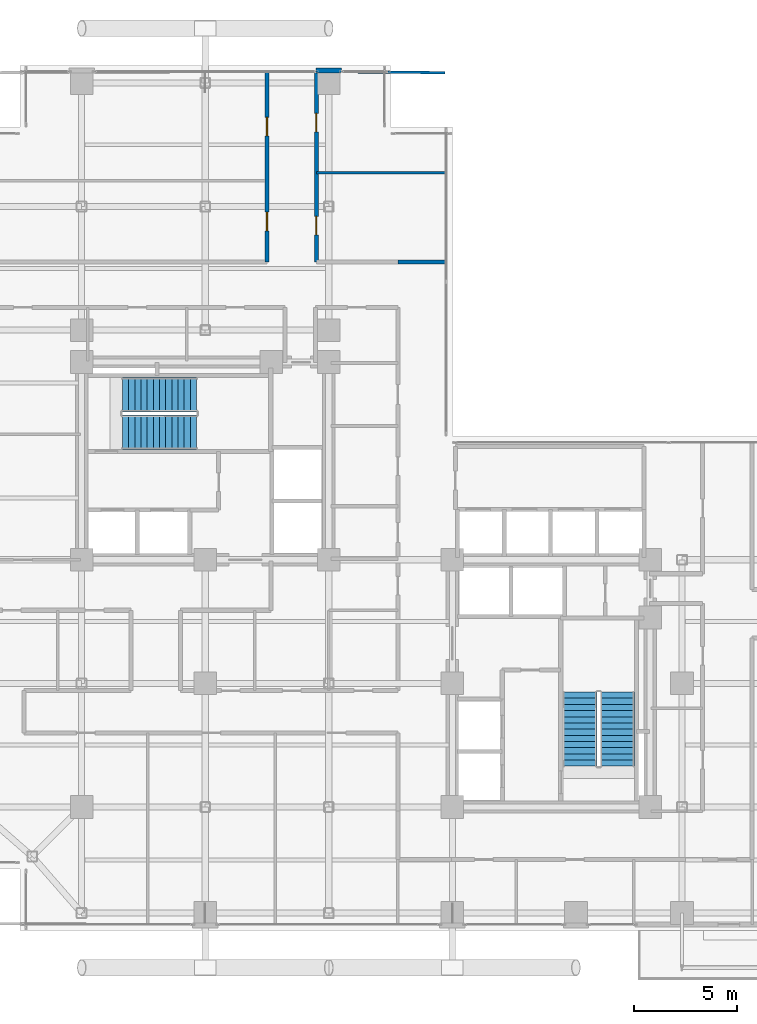
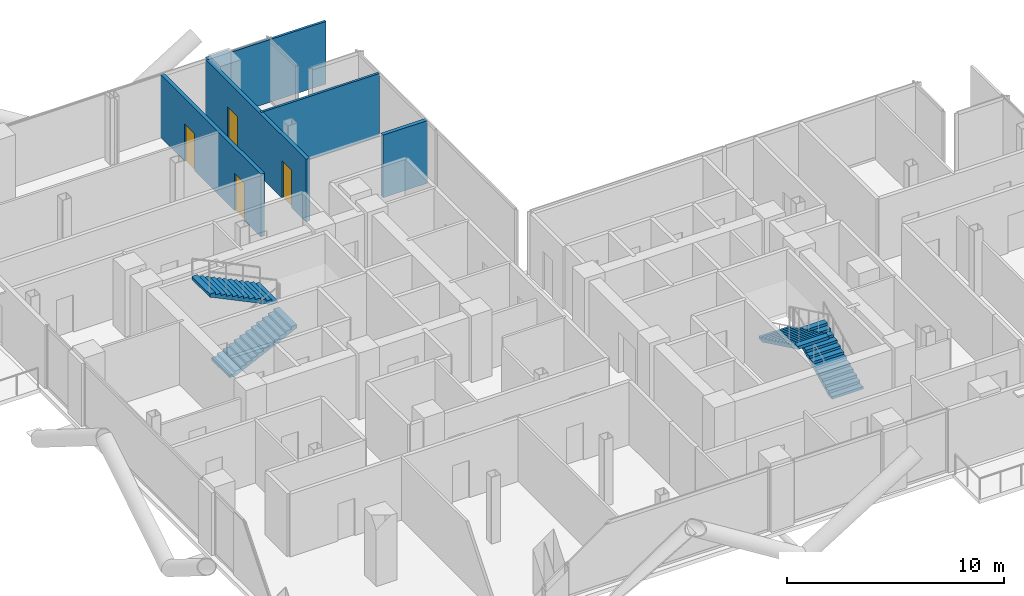
# One storey, part 25 of 28: 6 walls, 4 doors, 4 stair flights, 4 openings, 2 elements without a shape of their own.
"""IFC4 building model written with IfcOpenShell, lengths in metres."""

from ifc_helpers import new_model, si_unit, direction, frame, frame_2d, origin, place, context, subcontext, project, spatial, polyline, rectangle, outline, extrude, material, layer, layer_set, type_object, element, fill, aggregate, save


model = new_model("IFC4")

# Units and contexts
model_context = context("Model", 3, precision=1e-05, world=origin(), true_north=direction((0.0, 1.0)))
body_context = subcontext(model_context, "Body", "Model", "MODEL_VIEW")
ifc_project = project(units=[si_unit("LENGTHUNIT", "METRE"), si_unit("AREAUNIT", "SQUARE_METRE"), si_unit("VOLUMEUNIT", "CUBIC_METRE"), si_unit("PLANEANGLEUNIT", "RADIAN"), si_unit("MASSUNIT", "GRAM", prefix="KILO"), si_unit("THERMODYNAMICTEMPERATUREUNIT", "KELVIN"), si_unit("POWERUNIT", "WATT")], contexts=[model_context])

# Site, building, storey
site_placement = place(None, origin())
site = spatial("IfcSite", under=ifc_project, at=site_placement, CompositionType="ELEMENT")
building_placement = place(site_placement, origin())
building = spatial("IfcBuilding", under=site, at=building_placement, Name="Svarakhadi Broadcast Tower", CompositionType="ELEMENT")
storey_placement = place(building_placement, frame((0.0, 0.0, 153.14990234375)))
storey = spatial("IfcBuildingStorey", under=building, at=storey_placement, Name="L37", CompositionType="ELEMENT", Elevation=153.14990234375)

# Wall
ifc_material_1 = material(Name="Concrete C40/50 (IS 456 M50)", Category="concrete")
ifc_layer_1 = layer(ifc_material_1, 0.239990234375)
ifc_layer_set_1 = layer_set([ifc_layer_1], Name="Concrete C40/50 (IS 456 M50)")
wall_type_1 = type_object("IfcWallType", Name="Wall_Ext_240", PredefinedType="SOLIDWALL", material=ifc_layer_set_1)
wall_1_placement = place(storey_placement, frame((17.385009765625, 41.760009765625, 0.0), z_axis=(0.0, 0.0, 1.0), x_axis=(1.0, 0.0, 0.0)))
element("IfcWall", 1, at=wall_1_placement, inside=storey, type_object=wall_type_1, Name="L37 Perimeter Bronze Spandrel Closure Wall 04", PredefinedType="SOLIDWALL", context=body_context, shape_type="SweptSolid", body=[
    extrude(rectangle(XDim=1.22998046875, YDim=0.239990234375, at=frame_2d((0.614990234375, 0.0))), origin(), (0.0, 0.0, 1.0), 3.525146484375),
])

# Wall, openings, doors
ifc_layer_2 = layer(ifc_material_1, 0.199951171875)
ifc_layer_set_2 = layer_set([ifc_layer_2], Name="Concrete C40/50 (IS 456 M50)")
wall_type_2 = type_object("IfcWallType", Name="Wall_Fire_200", PredefinedType="SOLIDWALL", material=ifc_layer_set_2)
wall_2_placement = place(storey_placement, frame((15.0, 32.449951171875, 0.0), z_axis=(0.0, 0.0, 1.0), x_axis=(0.0, 1.0, 0.0)))
wall_2 = element("IfcWall", 2, at=wall_2_placement, inside=storey, type_object=wall_type_2, Name="L37 Zone 2/3 Corridor Wall", PredefinedType="SOLIDWALL", context=body_context, shape_type="SweptSolid", body=[
    extrude(rectangle(XDim=9.25, YDim=0.199951171875, at=frame_2d((4.625, 0.0))), origin(), (0.0, 0.0, 1.0), 3.525146484375),
])
opening_1_placement = place(wall_2_placement, frame((1.52490234375, 0.0, 0.0)))
opening_1 = element("IfcOpeningElement", 3, at=opening_1_placement, cuts=wall_2, Name="Opening D-14", PredefinedType="OPENING", context=body_context, shape_type="SweptSolid", body=[
    extrude(rectangle(XDim=0.89990234375, YDim=2.10009765625, at=frame_2d((0.449951171875, 1.050048828125))), frame((0.0, 0.10986328125, 0.0), z_axis=(0.0, -1.0, 0.0), x_axis=(1.0, 0.0, 0.0)), (0.0, 0.0, 1.0), 0.219970703125),
])
opening_2_placement = place(wall_2_placement, frame((6.125, 0.0, 0.0)))
opening_2 = element("IfcOpeningElement", 4, at=opening_2_placement, cuts=wall_2, Name="Opening D-15", PredefinedType="OPENING", context=body_context, shape_type="SweptSolid", body=[
    extrude(rectangle(XDim=0.89990234375, YDim=2.10009765625, at=frame_2d((0.449951171875, 1.050048828125))), frame((0.0, 0.10986328125, 0.0), z_axis=(0.0, -1.0, 0.0), x_axis=(1.0, 0.0, 0.0)), (0.0, 0.0, 1.0), 0.219970703125),
])
ifc_material_2 = material(Name="Solid-Core Teak Veneer Acoustic Timber Leaf", Category="wood")
door_type_1 = type_object("IfcDoorType", Name="Door_Int_D14", OperationType="SINGLE_SWING_LEFT", PredefinedType="DOOR", material=ifc_material_2)
door_1_placement = place(opening_1_placement, origin())
door_1 = element("IfcDoor", 5, at=door_1_placement, inside=storey, type_object=door_type_1, Name="L37 Musicians Dining Pantry Door", OperationType="SINGLE_SWING_LEFT", OverallHeight=2.10009765625, OverallWidth=0.89990234375, PredefinedType="DOOR", context=body_context, shape_type="SweptSolid", body=[
    extrude(rectangle(XDim=0.89990234375, YDim=2.10009765625, at=frame_2d((0.449951171875, 1.050048828125))), frame((0.0, 0.02490234375, 0.0), z_axis=(0.0, -1.0, 0.0), x_axis=(1.0, 0.0, 0.0)), (0.0, 0.0, 1.0), 0.050048828125),
])
fill(opening_1, door_1)
door_type_2 = type_object("IfcDoorType", Name="Door_Int_D15", OperationType="SINGLE_SWING_RIGHT", PredefinedType="DOOR", material=ifc_material_2)
door_2_placement = place(opening_2_placement, origin())
door_2 = element("IfcDoor", 6, at=door_2_placement, inside=storey, type_object=door_type_2, Name="L37 Audio Mastering Media Room Door", OperationType="SINGLE_SWING_RIGHT", OverallHeight=2.10009765625, OverallWidth=0.89990234375, PredefinedType="DOOR", context=body_context, shape_type="SweptSolid", body=[
    extrude(rectangle(XDim=0.89990234375, YDim=2.10009765625, at=frame_2d((0.449951171875, 1.050048828125))), frame((0.0, 0.02490234375, 0.0), z_axis=(0.0, -1.0, 0.0), x_axis=(1.0, 0.0, 0.0)), (0.0, 0.0, 1.0), 0.050048828125),
])
fill(opening_2, door_2)

wall_3_placement = place(storey_placement, frame((17.39990234375, 41.699951171875, 0.0), z_axis=(0.0, 0.0, 1.0), x_axis=(0.0, -1.0, 0.0)))
wall_3 = element("IfcWall", 7, at=wall_3_placement, inside=storey, type_object=wall_type_2, Name="L37 Zone 2/3 Corridor Wall", PredefinedType="SOLIDWALL", context=body_context, shape_type="SweptSolid", body=[
    extrude(rectangle(XDim=9.25, YDim=0.199951171875, at=frame_2d((4.625, 0.0))), origin(), (0.0, 0.0, 1.0), 3.525146484375),
])
opening_3_placement = place(wall_3_placement, frame((7.030029296875, 0.0, 0.0)))
opening_3 = element("IfcOpeningElement", 8, at=opening_3_placement, cuts=wall_3, Name="Opening D-15", PredefinedType="OPENING", context=body_context, shape_type="SweptSolid", body=[
    extrude(rectangle(XDim=0.89990234375, YDim=2.10009765625, at=frame_2d((0.449951171875, 1.050048828125))), frame((0.0, 0.10986328125, 0.0), z_axis=(0.0, -1.0, 0.0), x_axis=(1.0, 0.0, 0.0)), (0.0, 0.0, 1.0), 0.219970703125),
])
opening_4_placement = place(wall_3_placement, frame((2.02490234375, 0.0, 0.0)))
opening_4 = element("IfcOpeningElement", 9, at=opening_4_placement, cuts=wall_3, Name="Opening D-15", PredefinedType="OPENING", context=body_context, shape_type="SweptSolid", body=[
    extrude(rectangle(XDim=0.89990234375, YDim=2.10009765625, at=frame_2d((0.449951171875, 1.050048828125))), frame((0.0, 0.10986328125, 0.0), z_axis=(0.0, -1.0, 0.0), x_axis=(1.0, 0.0, 0.0)), (0.0, 0.0, 1.0), 0.219970703125),
])
door_3_placement = place(opening_3_placement, origin())
door_3 = element("IfcDoor", 10, at=door_3_placement, inside=storey, type_object=door_type_2, Name="L37 Executive Producer Office Door", OperationType="SINGLE_SWING_RIGHT", OverallHeight=2.10009765625, OverallWidth=0.89990234375, PredefinedType="DOOR", context=body_context, shape_type="SweptSolid", body=[
    extrude(rectangle(XDim=0.89990234375, YDim=2.10009765625, at=frame_2d((0.449951171875, 1.050048828125))), frame((0.0, 0.02490234375, 0.0), z_axis=(0.0, -1.0, 0.0), x_axis=(1.0, 0.0, 0.0)), (0.0, 0.0, 1.0), 0.050048828125),
])
fill(opening_3, door_3)
door_4_placement = place(opening_4_placement, origin())
door_4 = element("IfcDoor", 11, at=door_4_placement, inside=storey, type_object=door_type_2, Name="L37 Pantry and Copy Room Door", OperationType="SINGLE_SWING_RIGHT", OverallHeight=2.10009765625, OverallWidth=0.89990234375, PredefinedType="DOOR", context=body_context, shape_type="SweptSolid", body=[
    extrude(rectangle(XDim=0.89990234375, YDim=2.10009765625, at=frame_2d((0.449951171875, 1.050048828125))), frame((0.0, 0.02490234375, 0.0), z_axis=(0.0, -1.0, 0.0), x_axis=(1.0, 0.0, 0.0)), (0.0, 0.0, 1.0), 0.050048828125),
])
fill(opening_4, door_4)

# Walls
wall_4_placement = place(storey_placement, frame((21.35009765625, 32.449951171875, 0.0), z_axis=(0.0, 0.0, 1.0), x_axis=(1.0, 0.0, 0.0)))
element("IfcWall", 12, at=wall_4_placement, inside=storey, type_object=wall_type_2, Name="L37 Zone 2/3 Corridor Wall", PredefinedType="SOLIDWALL", context=body_context, shape_type="SweptSolid", body=[
    extrude(rectangle(XDim=2.349853515625, YDim=0.199951171875, at=frame_2d((1.1748046875, 0.0))), origin(), (0.0, 0.0, 1.0), 3.525146484375),
])
ifc_material_3 = material(Name="Fire-Rated Moisture-Resistant Gypsum Board Partition", Category="gypsum")
ifc_layer_3 = layer(ifc_material_3, 0.125)
ifc_layer_set_3 = layer_set([ifc_layer_3], Name="Fire-Rated Moisture-Resistant Gypsum Board Partition")
wall_type_3 = type_object("IfcWallType", Name="Wall_Part_125", PredefinedType="PARTITIONING", material=ifc_layer_set_3)
wall_5_placement = place(storey_placement, frame((17.39990234375, 36.800048828125, 0.0), z_axis=(0.0, 0.0, 1.0), x_axis=(1.0, 0.0, 0.0)))
element("IfcWall", 13, at=wall_5_placement, inside=storey, type_object=wall_type_3, Name="L37 Executive Producer Office Wall", PredefinedType="PARTITIONING", context=body_context, shape_type="SweptSolid", body=[
    extrude(rectangle(XDim=6.300048828125, YDim=0.125, at=frame_2d((3.14990234375, 0.0))), origin(), (0.0, 0.0, 1.0), 3.525146484375),
])
wall_6_placement = place(storey_placement, frame((18.614990234375, 41.690185546875, 0.0), z_axis=(0.0, 0.0, 1.0), x_axis=(0.99996799533, -0.008000519771, 0.0)))
element("IfcWall", 14, at=wall_6_placement, inside=storey, type_object=wall_type_3, Name="L37 Pantry and Copy Room Wall", PredefinedType="PARTITIONING", context=body_context, shape_type="SweptSolid", body=[
    extrude(rectangle(XDim=5.03515625, YDim=0.125, at=frame_2d((2.517578125, 0.0))), origin(), (0.0, 0.0, 1.0), 3.525146484375),
])

# Stair, stair flights
stair_type = type_object("IfcStairType", Name="Stair_Exit_Core", PredefinedType="HALF_TURN_STAIR", material=ifc_material_1)
stair_1_placement = place(storey_placement, origin())
stair_1 = element("IfcStair", 15, at=stair_1_placement, inside=storey, type_object=stair_type, Name="L37 West Core Protected Exit Stair ST-01", PredefinedType="HALF_TURN_STAIR")
stair_flight_type = type_object("IfcStairFlightType", Name="Flight_RC_1680", PredefinedType="STRAIGHT", material=ifc_material_1)
stair_flight_1_placement = place(storey_placement, frame((7.97998046875, 24.18994140625, 0.0), z_axis=(0.0, 0.0, 1.0), x_axis=(1.0, 0.0, 0.0)))
stair_flight_1 = element("IfcStairFlight", 16, at=stair_flight_1_placement, type_object=stair_flight_type, Name="ST-01 flight 1", NumberOfRisers=13, NumberOfTreads=12, PredefinedType="STRAIGHT", RiserHeight=0.144230769, TreadLength=0.3, context=body_context, shape_type="SweptSolid", body=[
    extrude(outline(polyline([(0.0, 0.0), (0.0, 0.144287109375), (0.300048828125, 0.144287109375), (0.300048828125, 0.28857421875), (0.60009765625, 0.28857421875), (0.60009765625, 0.4326171875), (0.89990234375, 0.4326171875), (0.89990234375, 0.576904296875), (1.199951171875, 0.576904296875), (1.199951171875, 0.72119140625), (1.5, 0.72119140625), (1.5, 0.865478515625), (1.800048828125, 0.865478515625), (1.800048828125, 1.009521484375), (2.10009765625, 1.009521484375), (2.10009765625, 1.15380859375), (2.39990234375, 1.15380859375), (2.39990234375, 1.298095703125), (2.699951171875, 1.298095703125), (2.699951171875, 1.4423828125), (3.0, 1.4423828125), (3.0, 1.58642578125), (3.300048828125, 1.58642578125), (3.300048828125, 1.730712890625), (3.60009765625, 1.730712890625), (3.60009765625, 1.875), (3.60009765625, 1.564453125), (0.345947265625, 0.0), (0.0, 0.0)])), frame((0.0, 0.830078125, 0.0), z_axis=(0.0, -1.0, 0.0), x_axis=(1.0, 0.0, 0.0)), (0.0, 0.0, 1.0), 1.659912109375),
])
stair_flight_2_placement = place(storey_placement, frame((11.580078125, 26.010009765625, 1.875), z_axis=(0.0, 0.0, 1.0), x_axis=(-1.0, 0.0, 0.0)))
stair_flight_2 = element("IfcStairFlight", 17, at=stair_flight_2_placement, type_object=stair_flight_type, Name="ST-01 flight 2", NumberOfRisers=13, NumberOfTreads=12, PredefinedType="STRAIGHT", RiserHeight=0.144230769, TreadLength=0.3, context=body_context, shape_type="SweptSolid", body=[
    extrude(outline(polyline([(0.0, 0.0), (0.0, 0.144287109375), (0.300048828125, 0.144287109375), (0.300048828125, 0.28857421875), (0.60009765625, 0.28857421875), (0.60009765625, 0.4326171875), (0.89990234375, 0.4326171875), (0.89990234375, 0.576904296875), (1.199951171875, 0.576904296875), (1.199951171875, 0.72119140625), (1.5, 0.72119140625), (1.5, 0.865478515625), (1.800048828125, 0.865478515625), (1.800048828125, 1.009521484375), (2.10009765625, 1.009521484375), (2.10009765625, 1.15380859375), (2.39990234375, 1.15380859375), (2.39990234375, 1.298095703125), (2.699951171875, 1.298095703125), (2.699951171875, 1.4423828125), (3.0, 1.4423828125), (3.0, 1.58642578125), (3.300048828125, 1.58642578125), (3.300048828125, 1.730712890625), (3.60009765625, 1.730712890625), (3.60009765625, 1.875), (3.60009765625, 1.564453125), (0.345947265625, 0.0), (0.0, 0.0)])), frame((0.0, 0.830078125, 0.0), z_axis=(0.0, -1.0, 0.0), x_axis=(1.0, 0.0, 0.0)), (0.0, 0.0, 1.0), 1.659912109375),
])
aggregate(stair_1, [stair_flight_1, stair_flight_2])

stair_2_placement = place(storey_placement, origin())
stair_2 = element("IfcStair", 18, at=stair_2_placement, inside=storey, type_object=stair_type, Name="L37 East Core Protected Exit Stair ST-02", PredefinedType="HALF_TURN_STAIR")
stair_flight_3_placement = place(storey_placement, frame((32.010009765625, 7.97998046875, 0.0), z_axis=(0.0, 0.0, 1.0), x_axis=(0.0, 1.0, 0.0)))
stair_flight_3 = element("IfcStairFlight", 19, at=stair_flight_3_placement, type_object=stair_flight_type, Name="ST-02 flight 1", NumberOfRisers=13, NumberOfTreads=12, PredefinedType="STRAIGHT", RiserHeight=0.144230769, TreadLength=0.3, context=body_context, shape_type="SweptSolid", body=[
    extrude(outline(polyline([(0.0, 0.0), (0.0, 0.144287109375), (0.300048828125, 0.144287109375), (0.300048828125, 0.28857421875), (0.60009765625, 0.28857421875), (0.60009765625, 0.4326171875), (0.89990234375, 0.4326171875), (0.89990234375, 0.576904296875), (1.199951171875, 0.576904296875), (1.199951171875, 0.72119140625), (1.5, 0.72119140625), (1.5, 0.865478515625), (1.800048828125, 0.865478515625), (1.800048828125, 1.009521484375), (2.10009765625, 1.009521484375), (2.10009765625, 1.15380859375), (2.39990234375, 1.15380859375), (2.39990234375, 1.298095703125), (2.699951171875, 1.298095703125), (2.699951171875, 1.4423828125), (3.0, 1.4423828125), (3.0, 1.58642578125), (3.300048828125, 1.58642578125), (3.300048828125, 1.730712890625), (3.60009765625, 1.730712890625), (3.60009765625, 1.875), (3.60009765625, 1.564453125), (0.345947265625, 0.0), (0.0, 0.0)])), frame((0.0, 0.830078125, 0.0), z_axis=(0.0, -1.0, 0.0), x_axis=(1.0, 0.0, 0.0)), (0.0, 0.0, 1.0), 1.659912109375),
])
stair_flight_4_placement = place(storey_placement, frame((30.18994140625, 11.580078125, 1.875), z_axis=(0.0, 0.0, 1.0), x_axis=(0.0, -1.0, 0.0)))
stair_flight_4 = element("IfcStairFlight", 20, at=stair_flight_4_placement, type_object=stair_flight_type, Name="ST-02 flight 2", NumberOfRisers=13, NumberOfTreads=12, PredefinedType="STRAIGHT", RiserHeight=0.144230769, TreadLength=0.3, context=body_context, shape_type="SweptSolid", body=[
    extrude(outline(polyline([(0.0, 0.0), (0.0, 0.144287109375), (0.300048828125, 0.144287109375), (0.300048828125, 0.28857421875), (0.60009765625, 0.28857421875), (0.60009765625, 0.4326171875), (0.89990234375, 0.4326171875), (0.89990234375, 0.576904296875), (1.199951171875, 0.576904296875), (1.199951171875, 0.72119140625), (1.5, 0.72119140625), (1.5, 0.865478515625), (1.800048828125, 0.865478515625), (1.800048828125, 1.009521484375), (2.10009765625, 1.009521484375), (2.10009765625, 1.15380859375), (2.39990234375, 1.15380859375), (2.39990234375, 1.298095703125), (2.699951171875, 1.298095703125), (2.699951171875, 1.4423828125), (3.0, 1.4423828125), (3.0, 1.58642578125), (3.300048828125, 1.58642578125), (3.300048828125, 1.730712890625), (3.60009765625, 1.730712890625), (3.60009765625, 1.875), (3.60009765625, 1.564453125), (0.345947265625, 0.0), (0.0, 0.0)])), frame((0.0, 0.830078125, 0.0), z_axis=(0.0, -1.0, 0.0), x_axis=(1.0, 0.0, 0.0)), (0.0, 0.0, 1.0), 1.659912109375),
])
aggregate(stair_2, [stair_flight_3, stair_flight_4])

save(model, "model.ifc")
